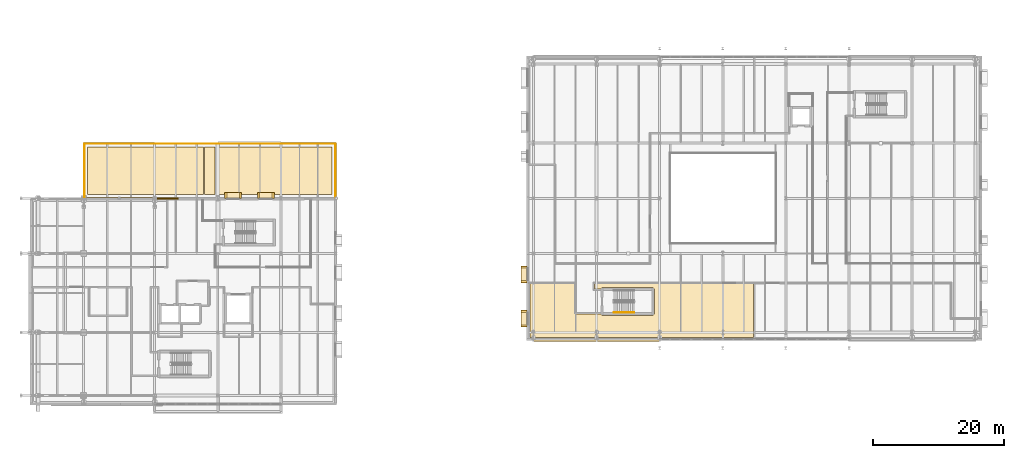
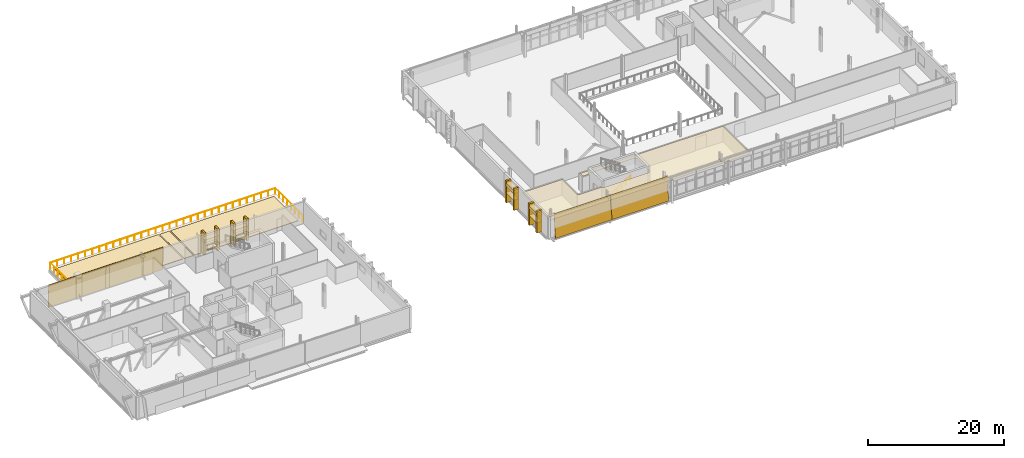
# One storey, part 51 of 57: 24 coverings, 4 railings.
"""IFC4 building model written with IfcOpenShell, lengths in metres."""

from ifc_helpers import new_model, si_unit, direction, frame, origin, origin_2d, place, context, subcontext, project, spatial, polyline, rectangle, circle, outline, extrude, material, layer, layer_set, type_object, element, save


model = new_model("IFC4")

# Units and contexts
model_context = context("Model", 3, precision=1e-05, world=origin(), true_north=direction((0.0, 1.0)))
body_context = subcontext(model_context, "Body", "Model", "MODEL_VIEW")
ifc_project = project(units=[si_unit("LENGTHUNIT", "METRE"), si_unit("AREAUNIT", "SQUARE_METRE"), si_unit("VOLUMEUNIT", "CUBIC_METRE"), si_unit("PLANEANGLEUNIT", "RADIAN"), si_unit("MASSUNIT", "GRAM", prefix="KILO")], contexts=[model_context])

# Site, building, storey
site_placement = place(None, origin())
site = spatial("IfcSite", under=ifc_project, at=site_placement, CompositionType="ELEMENT")
building_placement = place(site_placement, origin())
building = spatial("IfcBuilding", under=site, at=building_placement, Name="Zereglee Splitstone Museum", CompositionType="ELEMENT")
storey_placement = place(building_placement, frame((0.0, 0.0, 17.10009765625)))
storey = spatial("IfcBuildingStorey", under=building, at=storey_placement, Name="L03", CompositionType="ELEMENT", Elevation=17.10009765625)

# Coverings
ifc_material_1 = material(Name="Siberian larch acoustic timber ceiling", Category="wood")
ifc_layer_1 = layer(ifc_material_1, 0.06005859375)
ifc_layer_set_1 = layer_set([ifc_layer_1], Name="Siberian larch acoustic timber ceiling")
covering_type_1 = type_object("IfcCoveringType", Name="CLG-01", PredefinedType="CEILING", material=ifc_layer_set_1)
covering_1_placement = place(storey_placement, frame((0.0, 0.0, 2.760009765625)))
element("IfcCovering", 1, at=covering_1_placement, inside=storey, type_object=covering_type_1, Name="Acoustic Ceiling L03-047", PredefinedType="CEILING", context=body_context, shape_type="SweptSolid", body=[
    extrude(outline(polyline([(87.280029296875, 17.02001953125), (111.5, 17.02001953125), (111.5, 8.860107421875), (77.4599609375, 8.860107421875), (77.4599609375, 17.02001953125), (84.219970703125, 17.02001953125), (84.219970703125, 12.60009765625), (84.219970703125, 12.59912109375), (84.220703125, 12.583251953125), (84.220947265625, 12.581298828125), (84.223388671875, 12.56591796875), (84.2236328125, 12.56396484375), (84.2275390625, 12.548583984375), (84.22802734375, 12.546875), (84.2333984375, 12.531982421875), (84.234130859375, 12.5302734375), (84.24072265625, 12.51611328125), (84.24169921875, 12.514404296875), (84.249755859375, 12.500732421875), (84.2509765625, 12.499267578125), (84.26025390625, 12.486572265625), (84.261474609375, 12.485107421875), (84.27197265625, 12.473388671875), (84.2734375, 12.471923828125), (84.28515625, 12.46142578125), (84.28662109375, 12.460205078125), (84.29931640625, 12.450927734375), (84.30078125, 12.44970703125), (84.314208984375, 12.441650390625), (84.31591796875, 12.44091796875), (84.330078125, 12.43408203125), (84.33203125, 12.433349609375), (84.3466796875, 12.427978515625), (84.3486328125, 12.427490234375), (84.364013671875, 12.423583984375), (84.365966796875, 12.42333984375), (84.38134765625, 12.4208984375), (84.38330078125, 12.4208984375), (84.39892578125, 12.419921875), (84.39990234375, 12.419921875), (88.22119140625, 12.419921875), (88.2294921875, 12.402099609375), (88.250732421875, 12.36669921875), (88.275390625, 12.33349609375), (88.302978515625, 12.302978515625), (88.33349609375, 12.275390625), (88.36669921875, 12.250732421875), (88.402099609375, 12.2294921875), (88.439208984375, 12.2119140625), (88.47802734375, 12.197998046875), (88.51806640625, 12.18798828125), (88.558837890625, 12.181884765625), (88.60009765625, 12.179931640625), (96.0, 12.179931640625), (96.041259765625, 12.181884765625), (96.081787109375, 12.18798828125), (96.121826171875, 12.197998046875), (96.16064453125, 12.2119140625), (96.197998046875, 12.2294921875), (96.2333984375, 12.250732421875), (96.266357421875, 12.275390625), (96.297119140625, 12.302978515625), (96.32470703125, 12.33349609375), (96.34912109375, 12.36669921875), (96.370361328125, 12.402099609375), (96.387939453125, 12.439208984375), (96.40185546875, 12.47802734375), (96.411865234375, 12.51806640625), (96.41796875, 12.558837890625), (96.419921875, 12.60009765625), (96.419921875, 16.0), (96.41796875, 16.041259765625), (96.411865234375, 16.081787109375), (96.40185546875, 16.121826171875), (96.387939453125, 16.16064453125), (96.370361328125, 16.197998046875), (96.34912109375, 16.2333984375), (96.32470703125, 16.266357421875), (96.297119140625, 16.297119140625), (96.266357421875, 16.32470703125), (96.2333984375, 16.34912109375), (96.197998046875, 16.370361328125), (96.16064453125, 16.387939453125), (96.121826171875, 16.40185546875), (96.081787109375, 16.411865234375), (96.041259765625, 16.41796875), (96.0, 16.419921875), (88.60009765625, 16.419921875), (88.558837890625, 16.41796875), (88.51806640625, 16.411865234375), (88.47802734375, 16.40185546875), (88.439208984375, 16.387939453125), (88.402099609375, 16.370361328125), (88.36669921875, 16.34912109375), (88.33349609375, 16.32470703125), (88.302978515625, 16.297119140625), (88.275390625, 16.266357421875), (88.250732421875, 16.2333984375), (88.2294921875, 16.197998046875), (88.22119140625, 16.179931640625), (87.280029296875, 16.179931640625), (87.280029296875, 17.02001953125)]), holes=[polyline([(78.1171875, 9.42431640625), (78.1494140625, 9.45068359375), (78.175537109375, 9.482666015625), (78.195068359375, 9.519287109375), (78.20703125, 9.558837890625), (78.211181640625, 9.60009765625), (78.20703125, 9.64111328125), (78.195068359375, 9.680908203125), (78.175537109375, 9.71728515625), (78.1494140625, 9.749267578125), (78.1171875, 9.775634765625), (78.080810546875, 9.795166015625), (78.041259765625, 9.80712890625), (78.0, 9.811279296875), (77.958740234375, 9.80712890625), (77.919189453125, 9.795166015625), (77.8828125, 9.775634765625), (77.8505859375, 9.749267578125), (77.824462890625, 9.71728515625), (77.804931640625, 9.680908203125), (77.79296875, 9.64111328125), (77.788818359375, 9.60009765625), (77.79296875, 9.558837890625), (77.804931640625, 9.519287109375), (77.824462890625, 9.482666015625), (77.8505859375, 9.45068359375), (77.8828125, 9.42431640625), (77.919189453125, 9.40478515625), (77.958740234375, 9.392822265625), (78.0, 9.388916015625), (78.041259765625, 9.392822265625), (78.080810546875, 9.40478515625), (78.1171875, 9.42431640625)]), polyline([(87.44189453125, 9.907958984375), (87.44189453125, 9.862060546875), (87.584228515625, 9.862060546875), (87.584228515625, 9.337890625), (87.44189453125, 9.337890625), (87.44189453125, 9.2919921875), (87.758056640625, 9.2919921875), (87.758056640625, 9.337890625), (87.61572265625, 9.337890625), (87.61572265625, 9.862060546875), (87.758056640625, 9.862060546875), (87.758056640625, 9.907958984375), (87.44189453125, 9.907958984375)]), polyline([(97.35791015625, 9.7880859375), (97.0419921875, 9.7880859375), (97.0419921875, 9.74951171875), (97.185791015625, 9.74951171875), (97.185791015625, 9.450439453125), (97.0419921875, 9.450439453125), (97.0419921875, 9.412109375), (97.35791015625, 9.412109375), (97.35791015625, 9.450439453125), (97.21435546875, 9.450439453125), (97.21435546875, 9.74951171875), (97.35791015625, 9.74951171875), (97.35791015625, 9.7880859375)]), polyline([(106.64208984375, 9.9580078125), (106.64208984375, 9.909912109375), (106.783447265625, 9.909912109375), (106.783447265625, 9.2900390625), (106.64208984375, 9.2900390625), (106.64208984375, 9.241943359375), (106.9580078125, 9.241943359375), (106.9580078125, 9.2900390625), (106.81640625, 9.2900390625), (106.81640625, 9.909912109375), (106.9580078125, 9.909912109375), (106.9580078125, 9.9580078125), (106.64208984375, 9.9580078125)])]), origin(), (0.0, 0.0, 1.0), 0.059814453125),
])
ifc_material_2 = material(Name="Honed Gobi pale limestone stringcourse and soffit cladding", Category="masonry")
ifc_layer_2 = layer(ifc_material_2, 0.070068359375)
ifc_layer_set_2 = layer_set([ifc_layer_2], Name="Honed Gobi pale limestone stringcourse and soffit cladding")
covering_type_2 = type_object("IfcCoveringType", Name="CL-02", PredefinedType="CLADDING", material=ifc_layer_set_2)
for number, where, z_axis, x_axis, name in (
    (2, (38.409912109375, 30.425048828125, 0.0), (0.0, 0.0, 1.0), (-1.0, 0.0, 0.0), "Mughal Window Reveal Stone Pilaster L03-0123L"),
    (3, (36.169921875, 30.425048828125, 0.0), (0.0, 0.0, 1.0), (-1.0, 0.0, 0.0), "Mughal Window Reveal Stone Pilaster L03-0123R"),
):
    element("IfcCovering", number, at=place(storey_placement, frame(where, z_axis=z_axis, x_axis=x_axis)), inside=storey, type_object=covering_type_2, Name=name, PredefinedType="CLADDING", context=body_context, shape_type="SweptSolid", body=[
        extrude(rectangle(XDim=0.340087890625, YDim=0.860107421875, at=origin_2d()), origin(), (0.0, 0.0, 1.0), 3.89990234375),
    ])
covering_2_placement = place(storey_placement, frame((37.2900390625, 30.43505859375, 0.759765625), z_axis=(0.0, 0.0, 1.0), x_axis=(-1.0, 0.0, 0.0)))
element("IfcCovering", 4, at=covering_2_placement, inside=storey, type_object=covering_type_2, Name="Carved Limestone Window Sill L03-0123", PredefinedType="CLADDING", context=body_context, shape_type="SweptSolid", body=[
    extrude(rectangle(XDim=2.43994140625, YDim=0.840087890625, at=origin_2d()), origin(), (0.0, 0.0, 1.0), 0.1201171875),
])
for number, where, z_axis, x_axis, name in (
    (5, (33.429931640625, 30.425048828125, 0.0), (0.0, 0.0, 1.0), (-1.0, 0.0, 0.0), "Mughal Window Reveal Stone Pilaster L03-0124L"),
    (6, (31.18994140625, 30.425048828125, 0.0), (0.0, 0.0, 1.0), (-1.0, 0.0, 0.0), "Mughal Window Reveal Stone Pilaster L03-0124R"),
):
    element("IfcCovering", number, at=place(storey_placement, frame(where, z_axis=z_axis, x_axis=x_axis)), inside=storey, type_object=covering_type_2, Name=name, PredefinedType="CLADDING", context=body_context, shape_type="SweptSolid", body=[
        extrude(rectangle(XDim=0.340087890625, YDim=0.860107421875, at=origin_2d()), origin(), (0.0, 0.0, 1.0), 3.89990234375),
    ])
covering_3_placement = place(storey_placement, frame((32.31005859375, 30.43505859375, 0.759765625), z_axis=(0.0, 0.0, 1.0), x_axis=(-1.0, 0.0, 0.0)))
element("IfcCovering", 7, at=covering_3_placement, inside=storey, type_object=covering_type_2, Name="Carved Limestone Window Sill L03-0124", PredefinedType="CLADDING", context=body_context, shape_type="SweptSolid", body=[
    extrude(rectangle(XDim=2.43994140625, YDim=0.840087890625, at=origin_2d()), origin(), (0.0, 0.0, 1.0), 0.1201171875),
])
for number, where, z_axis, x_axis, name in (
    (8, (76.574951171875, 19.5400390625, 0.0), (0.0, 0.0, 1.0), (0.0, -1.0, 0.0), "Mughal Window Reveal Stone Pilaster L03-0128L"),
    (9, (76.574951171875, 17.300048828125, 0.0), (0.0, 0.0, 1.0), (0.0, -1.0, 0.0), "Mughal Window Reveal Stone Pilaster L03-0128R"),
):
    element("IfcCovering", number, at=place(storey_placement, frame(where, z_axis=z_axis, x_axis=x_axis)), inside=storey, type_object=covering_type_2, Name=name, PredefinedType="CLADDING", context=body_context, shape_type="SweptSolid", body=[
        extrude(rectangle(XDim=0.340087890625, YDim=0.860107421875, at=origin_2d()), origin(), (0.0, 0.0, 1.0), 3.89990234375),
    ])
covering_4_placement = place(storey_placement, frame((76.56494140625, 18.419921875, 1.659912109375), z_axis=(0.0, 0.0, 1.0), x_axis=(0.0, -1.0, 0.0)))
element("IfcCovering", 10, at=covering_4_placement, inside=storey, type_object=covering_type_2, Name="Carved Limestone Window Sill L03-0128", PredefinedType="CLADDING", context=body_context, shape_type="SweptSolid", body=[
    extrude(rectangle(XDim=2.43994140625, YDim=0.840087890625, at=origin_2d()), origin(), (0.0, 0.0, 1.0), 0.1201171875),
])
for number, where, z_axis, x_axis, name in (
    (11, (76.574951171875, 12.820068359375, 0.0), (0.0, 0.0, 1.0), (0.0, -1.0, 0.0), "Mughal Window Reveal Stone Pilaster L03-0129L"),
    (12, (76.574951171875, 10.580078125, 0.0), (0.0, 0.0, 1.0), (0.0, -1.0, 0.0), "Mughal Window Reveal Stone Pilaster L03-0129R"),
):
    element("IfcCovering", number, at=place(storey_placement, frame(where, z_axis=z_axis, x_axis=x_axis)), inside=storey, type_object=covering_type_2, Name=name, PredefinedType="CLADDING", context=body_context, shape_type="SweptSolid", body=[
        extrude(rectangle(XDim=0.340087890625, YDim=0.860107421875, at=origin_2d()), origin(), (0.0, 0.0, 1.0), 3.89990234375),
    ])
covering_5_placement = place(storey_placement, frame((76.56494140625, 11.699951171875, 1.659912109375), z_axis=(0.0, 0.0, 1.0), x_axis=(0.0, -1.0, 0.0)))
element("IfcCovering", 13, at=covering_5_placement, inside=storey, type_object=covering_type_2, Name="Carved Limestone Window Sill L03-0129", PredefinedType="CLADDING", context=body_context, shape_type="SweptSolid", body=[
    extrude(rectangle(XDim=2.43994140625, YDim=0.840087890625, at=origin_2d()), origin(), (0.0, 0.0, 1.0), 0.1201171875),
])
ifc_material_3 = material(Name="Honed Khoroo red sandstone ventilated rainscreen", Category="masonry")
ifc_layer_3 = layer(ifc_material_3, 0.080078125)
ifc_layer_set_3 = layer_set([ifc_layer_3], Name="Honed Khoroo red sandstone ventilated rainscreen")
covering_type_3 = type_object("IfcCoveringType", Name="CL-01", PredefinedType="CLADDING", material=ifc_layer_set_3)
for number, where, z_axis, x_axis, name in (
    (14, (37.2900390625, 30.43505859375, 2.059814453125), (0.0, 0.0, 1.0), (-1.0, 0.0, 0.0), "Pointed-Arch Mughal Window Hood L03-0123"),
    (15, (32.31005859375, 30.43505859375, 2.059814453125), (0.0, 0.0, 1.0), (-1.0, 0.0, 0.0), "Pointed-Arch Mughal Window Hood L03-0124"),
    (16, (76.56494140625, 18.419921875, 2.9599609375), (0.0, 0.0, 1.0), (0.0, -1.0, 0.0), "Pointed-Arch Mughal Window Hood L03-0128"),
    (17, (76.56494140625, 11.699951171875, 2.9599609375), (0.0, 0.0, 1.0), (0.0, -1.0, 0.0), "Pointed-Arch Mughal Window Hood L03-0129"),
):
    element("IfcCovering", number, at=place(storey_placement, frame(where, z_axis=z_axis, x_axis=x_axis)), inside=storey, type_object=covering_type_3, Name=name, PredefinedType="CLADDING", context=body_context, shape_type="SweptSolid", body=[
        extrude(rectangle(XDim=2.43994140625, YDim=0.860107421875, at=origin_2d()), origin(), (0.0, 0.0, 1.0), 0.580078125),
    ])
for number, where, z_axis, x_axis, name in (
    (18, (4.60009765625, 29.943115234375, 3.949951171875), (0.0, 0.999311479484, 0.037102115456), (1.0, 0.0, 0.0), "Split-Rock Continuous Inclined Facet FH-V1N-W L03.1"),
    (19, (14.300048828125, 29.943115234375, 3.949951171875), (0.0, 0.999311479484, 0.037102115456), (1.0, 0.0, 0.0), "Split-Rock Continuous Inclined Facet FH-V1N-W L03.2"),
):
    element("IfcCovering", number, at=place(storey_placement, frame(where, z_axis=z_axis, x_axis=x_axis)), inside=storey, type_object=covering_type_3, Name=name, PredefinedType="CLADDING", context=body_context, shape_type="SweptSolid", body=[
        extrude(outline(polyline([(0.0, 0.0), (9.699951171875, 0.0), (9.699951171875, 4.092905940334635), (0.0, 4.092905940334635), (0.0, 0.0)])), origin(), (0.0, 0.0, -1.0), 0.080078125),
    ])
covering_6_placement = place(storey_placement, frame((78.0, 8.193603515625, -0.25), z_axis=(0.0, -0.995861353668, 0.090885445868), x_axis=(1.0, 0.0, 0.0)))
element("IfcCovering", 20, at=covering_6_placement, inside=storey, type_object=covering_type_3, Name="Split-Rock Continuous Inclined Facet FH-V2SW L03.1", PredefinedType="CLADDING", context=body_context, shape_type="SweptSolid", body=[
    extrude(outline(polyline([(0.0, 0.0), (9.60009765625, 0.0), (9.60009765625, 4.2174055217682165), (0.0, 4.2174055217682165), (0.0, 0.0)])), origin(), (0.0, 0.0, -1.0), 0.080078125),
])
covering_7_placement = place(storey_placement, frame((87.60009765625, 8.193603515625, -0.25), z_axis=(0.0, -0.995861353668, 0.090885445868), x_axis=(1.0, 0.0, 0.0)))
element("IfcCovering", 21, at=covering_7_placement, inside=storey, type_object=covering_type_3, Name="Split-Rock Continuous Inclined Facet FH-V2SW L03.2", PredefinedType="CLADDING", context=body_context, shape_type="SweptSolid", body=[
    extrude(outline(polyline([(0.0, 0.0), (9.599853515625, 0.0), (9.599853515625, 4.217405521768217), (0.0, 4.217405521768217), (0.0, 0.0)])), origin(), (0.0, 0.0, -1.0), 0.080078125),
])

# Railings
ifc_material_4 = material(Name="Brushed stainless steel 1.4404 post-and-rail guard", Category="steel")
railing_type_1 = type_object("IfcRailingType", Name="GR-01", PredefinedType="GUARDRAIL", material=ifc_material_4)
railing_1_placement = place(storey_placement, frame((9.719970703125, 30.1201171875, 0.0)))
element("IfcRailing", 22, at=railing_1_placement, inside=storey, type_object=railing_type_1, Name="Outdoor Terrace Guard TER-L03-V1N-1", PredefinedType="GUARDRAIL", context=body_context, shape_type="SweptSolid", body=[
    extrude(circle(Radius=0.02392578125, at=origin_2d()), frame((0.0, 0.0, 1.076416015625), z_axis=(0.0, 1.0, 0.0), x_axis=(-1.0, 0.0, 0.0)), (0.0, 0.0, 1.0), 8.159912109375),
    extrude(circle(Radius=0.02099609375, at=origin_2d()), origin(), (0.0, 0.0, 1.0), 1.052001953125),
    extrude(circle(Radius=0.02099609375, at=origin_2d()), frame((0.0, 1.165771484375, 0.0)), (0.0, 0.0, 1.0), 1.052001953125),
    extrude(circle(Radius=0.02099609375, at=origin_2d()), frame((0.0, 2.331298828125, 0.0)), (0.0, 0.0, 1.0), 1.052001953125),
    extrude(circle(Radius=0.02099609375, at=origin_2d()), frame((0.0, 3.4970703125, 0.0)), (0.0, 0.0, 1.0), 1.052001953125),
    extrude(circle(Radius=0.02099609375, at=origin_2d()), frame((0.0, 4.662841796875, 0.0)), (0.0, 0.0, 1.0), 1.052001953125),
    extrude(circle(Radius=0.02099609375, at=origin_2d()), frame((0.0, 5.82861328125, 0.0)), (0.0, 0.0, 1.0), 1.052001953125),
    extrude(circle(Radius=0.02099609375, at=origin_2d()), frame((0.0, 6.994140625, 0.0)), (0.0, 0.0, 1.0), 1.052001953125),
    extrude(circle(Radius=0.02099609375, at=origin_2d()), frame((0.0, 8.159912109375, 0.0)), (0.0, 0.0, 1.0), 1.052001953125),
])
railing_2_placement = place(storey_placement, frame((9.719970703125, 38.280029296875, 0.0)))
element("IfcRailing", 23, at=railing_2_placement, inside=storey, type_object=railing_type_1, Name="Outdoor Terrace Guard TER-L03-V1N-2", PredefinedType="GUARDRAIL", context=body_context, shape_type="SweptSolid", body=[
    extrude(circle(Radius=0.02392578125, at=origin_2d()), frame((0.0, 0.0, 1.076416015625), z_axis=(1.0, 0.0, 0.0), x_axis=(0.0, 1.0, 0.0)), (0.0, 0.0, 1.0), 38.159912109375),
    extrude(circle(Radius=0.02099609375, at=origin_2d()), origin(), (0.0, 0.0, 1.0), 1.052001953125),
    extrude(circle(Radius=0.02099609375, at=origin_2d()), frame((1.1923828125, 0.0, 0.0)), (0.0, 0.0, 1.0), 1.052001953125),
    extrude(circle(Radius=0.02099609375, at=origin_2d()), frame((2.385009765625, 0.0, 0.0)), (0.0, 0.0, 1.0), 1.052001953125),
    extrude(circle(Radius=0.02099609375, at=origin_2d()), frame((3.577392578125, 0.0, 0.0)), (0.0, 0.0, 1.0), 1.052001953125),
    extrude(circle(Radius=0.02099609375, at=origin_2d()), frame((4.77001953125, 0.0, 0.0)), (0.0, 0.0, 1.0), 1.052001953125),
    extrude(circle(Radius=0.02099609375, at=origin_2d()), frame((5.96240234375, 0.0, 0.0)), (0.0, 0.0, 1.0), 1.052001953125),
    extrude(circle(Radius=0.02099609375, at=origin_2d()), frame((7.155029296875, 0.0, 0.0)), (0.0, 0.0, 1.0), 1.052001953125),
    extrude(circle(Radius=0.02099609375, at=origin_2d()), frame((8.347412109375, 0.0, 0.0)), (0.0, 0.0, 1.0), 1.052001953125),
    extrude(circle(Radius=0.02099609375, at=origin_2d()), frame((9.5400390625, 0.0, 0.0)), (0.0, 0.0, 1.0), 1.052001953125),
    extrude(circle(Radius=0.02099609375, at=origin_2d()), frame((10.732421875, 0.0, 0.0)), (0.0, 0.0, 1.0), 1.052001953125),
    extrude(circle(Radius=0.02099609375, at=origin_2d()), frame((11.925048828125, 0.0, 0.0)), (0.0, 0.0, 1.0), 1.052001953125),
    extrude(circle(Radius=0.02099609375, at=origin_2d()), frame((13.117431640625, 0.0, 0.0)), (0.0, 0.0, 1.0), 1.052001953125),
    extrude(circle(Radius=0.02099609375, at=origin_2d()), frame((14.31005859375, 0.0, 0.0)), (0.0, 0.0, 1.0), 1.052001953125),
    extrude(circle(Radius=0.02099609375, at=origin_2d()), frame((15.50244140625, 0.0, 0.0)), (0.0, 0.0, 1.0), 1.052001953125),
    extrude(circle(Radius=0.02099609375, at=origin_2d()), frame((16.695068359375, 0.0, 0.0)), (0.0, 0.0, 1.0), 1.052001953125),
    extrude(circle(Radius=0.02099609375, at=origin_2d()), frame((17.887451171875, 0.0, 0.0)), (0.0, 0.0, 1.0), 1.052001953125),
    extrude(circle(Radius=0.02099609375, at=origin_2d()), frame((19.080078125, 0.0, 0.0)), (0.0, 0.0, 1.0), 1.052001953125),
    extrude(circle(Radius=0.02099609375, at=origin_2d()), frame((20.2724609375, 0.0, 0.0)), (0.0, 0.0, 1.0), 1.052001953125),
    extrude(circle(Radius=0.02099609375, at=origin_2d()), frame((21.46484375, 0.0, 0.0)), (0.0, 0.0, 1.0), 1.052001953125),
    extrude(circle(Radius=0.02099609375, at=origin_2d()), frame((22.657470703125, 0.0, 0.0)), (0.0, 0.0, 1.0), 1.052001953125),
    extrude(circle(Radius=0.02099609375, at=origin_2d()), frame((23.849853515625, 0.0, 0.0)), (0.0, 0.0, 1.0), 1.052001953125),
    extrude(circle(Radius=0.02099609375, at=origin_2d()), frame((25.04248046875, 0.0, 0.0)), (0.0, 0.0, 1.0), 1.052001953125),
    extrude(circle(Radius=0.02099609375, at=origin_2d()), frame((26.23486328125, 0.0, 0.0)), (0.0, 0.0, 1.0), 1.052001953125),
    extrude(circle(Radius=0.02099609375, at=origin_2d()), frame((27.427490234375, 0.0, 0.0)), (0.0, 0.0, 1.0), 1.052001953125),
    extrude(circle(Radius=0.02099609375, at=origin_2d()), frame((28.619873046875, 0.0, 0.0)), (0.0, 0.0, 1.0), 1.052001953125),
    extrude(circle(Radius=0.02099609375, at=origin_2d()), frame((29.8125, 0.0, 0.0)), (0.0, 0.0, 1.0), 1.052001953125),
    extrude(circle(Radius=0.02099609375, at=origin_2d()), frame((31.0048828125, 0.0, 0.0)), (0.0, 0.0, 1.0), 1.052001953125),
    extrude(circle(Radius=0.02099609375, at=origin_2d()), frame((32.197509765625, 0.0, 0.0)), (0.0, 0.0, 1.0), 1.052001953125),
    extrude(circle(Radius=0.02099609375, at=origin_2d()), frame((33.389892578125, 0.0, 0.0)), (0.0, 0.0, 1.0), 1.052001953125),
    extrude(circle(Radius=0.02099609375, at=origin_2d()), frame((34.58251953125, 0.0, 0.0)), (0.0, 0.0, 1.0), 1.052001953125),
    extrude(circle(Radius=0.02099609375, at=origin_2d()), frame((35.77490234375, 0.0, 0.0)), (0.0, 0.0, 1.0), 1.052001953125),
    extrude(circle(Radius=0.02099609375, at=origin_2d()), frame((36.967529296875, 0.0, 0.0)), (0.0, 0.0, 1.0), 1.052001953125),
    extrude(circle(Radius=0.02099609375, at=origin_2d()), frame((38.159912109375, 0.0, 0.0)), (0.0, 0.0, 1.0), 1.052001953125),
])
railing_3_placement = place(storey_placement, frame((47.8798828125, 38.280029296875, 0.0)))
element("IfcRailing", 24, at=railing_3_placement, inside=storey, type_object=railing_type_1, Name="Outdoor Terrace Guard TER-L03-V1N-3", PredefinedType="GUARDRAIL", context=body_context, shape_type="SweptSolid", body=[
    extrude(circle(Radius=0.02392578125, at=origin_2d()), frame((0.0, 0.0, 1.076416015625), z_axis=(0.0, -1.0, 0.0), x_axis=(1.0, 0.0, 0.0)), (0.0, 0.0, 1.0), 8.159912109375),
    extrude(circle(Radius=0.02099609375, at=origin_2d()), origin(), (0.0, 0.0, 1.0), 1.052001953125),
    extrude(circle(Radius=0.02099609375, at=origin_2d()), frame((0.0, -1.165771484375, 0.0)), (0.0, 0.0, 1.0), 1.052001953125),
    extrude(circle(Radius=0.02099609375, at=origin_2d()), frame((0.0, -2.331298828125, 0.0)), (0.0, 0.0, 1.0), 1.052001953125),
    extrude(circle(Radius=0.02099609375, at=origin_2d()), frame((0.0, -3.4970703125, 0.0)), (0.0, 0.0, 1.0), 1.052001953125),
    extrude(circle(Radius=0.02099609375, at=origin_2d()), frame((0.0, -4.662841796875, 0.0)), (0.0, 0.0, 1.0), 1.052001953125),
    extrude(circle(Radius=0.02099609375, at=origin_2d()), frame((0.0, -5.82861328125, 0.0)), (0.0, 0.0, 1.0), 1.052001953125),
    extrude(circle(Radius=0.02099609375, at=origin_2d()), frame((0.0, -6.994140625, 0.0)), (0.0, 0.0, 1.0), 1.052001953125),
    extrude(circle(Radius=0.02099609375, at=origin_2d()), frame((0.0, -8.159912109375, 0.0)), (0.0, 0.0, 1.0), 1.052001953125),
])
ifc_material_5 = material(Name="Architectural bronze tubular handrail", Category="steel")
railing_type_2 = type_object("IfcRailingType", Name="HR-01", PredefinedType="HANDRAIL", material=ifc_material_5)
railing_4_placement = place(storey_placement, frame((90.25, 12.64990234375, 0.1748046875)))
element("IfcRailing", 25, at=railing_4_placement, inside=storey, type_object=railing_type_2, Name="L03 ST-06 stair handrail 1", PredefinedType="HANDRAIL", context=body_context, shape_type="SweptSolid", body=[
    extrude(circle(Radius=0.02392578125, at=origin_2d()), frame((0.0, 0.0, 0.8759765625), z_axis=(0.847998304005, 0.0, 0.529998940003), x_axis=(0.0, 1.0, 0.0)), (0.0, 0.0, 1.0), 3.632080078125),
    extrude(circle(Radius=0.02099609375, at=origin_2d()), origin(), (0.0, 0.0, 1.0), 0.851806640625),
    extrude(circle(Radius=0.02099609375, at=origin_2d()), frame((0.77001953125, 0.0, 0.481201171875)), (0.0, 0.0, 1.0), 0.851806640625),
    extrude(circle(Radius=0.02099609375, at=origin_2d()), frame((1.5400390625, 0.0, 0.96240234375)), (0.0, 0.0, 1.0), 0.851806640625),
    extrude(circle(Radius=0.02099609375, at=origin_2d()), frame((2.31005859375, 0.0, 1.44384765625)), (0.0, 0.0, 1.0), 0.851806640625),
    extrude(circle(Radius=0.02099609375, at=origin_2d()), frame((3.080078125, 0.0, 1.925048828125)), (0.0, 0.0, 1.0), 0.851806640625),
])

# Coverings
ifc_material_6 = material(Name="Carved pale Gobi limestone charbagh channel trim", Category="masonry")
ifc_layer_4 = layer(ifc_material_6, 0.080078125)
ifc_layer_set_4 = layer_set([ifc_layer_4], Name="Carved pale Gobi limestone charbagh channel trim")
covering_type_4 = type_object("IfcCoveringType", Name="CHB-01", PredefinedType="FLOORING", material=ifc_layer_set_4)
covering_8_placement = place(storey_placement, origin())
element("IfcCovering", 26, at=covering_8_placement, inside=storey, type_object=covering_type_4, Name="Charbagh Stone Terrace Parterre CHB-TER-V1N", PredefinedType="FLOORING", context=body_context, shape_type="SweptSolid", body=[
    extrude(outline(polyline([(28.0, 30.60009765625), (29.60009765625, 30.60009765625), (29.60009765625, 37.800048828125), (28.0, 37.800048828125), (28.0, 30.60009765625)])), origin(), (0.0, 0.0, 1.0), 0.079833984375),
])
ifc_material_7 = material(Name="Flamed Gobi grey granite terrace paving", Category="masonry")
ifc_layer_5 = layer(ifc_material_7, 0.10009765625)
ifc_layer_set_5 = layer_set([ifc_layer_5], Name="Flamed Gobi grey granite terrace paving")
covering_type_5 = type_object("IfcCoveringType", Name="PAV-01", PredefinedType="FLOORING", material=ifc_layer_set_5)
covering_9_placement = place(storey_placement, origin())
element("IfcCovering", 27, at=covering_9_placement, inside=storey, type_object=covering_type_5, Name="Charbagh Stone Terrace Parterre PAV-TER-V1N-W", PredefinedType="FLOORING", context=body_context, shape_type="SweptSolid", body=[
    extrude(outline(polyline([(10.199951171875, 30.60009765625), (27.800048828125, 30.60009765625), (27.800048828125, 37.800048828125), (10.199951171875, 37.800048828125), (10.199951171875, 30.60009765625)])), origin(), (0.0, 0.0, 1.0), 0.099853515625),
])
ifc_material_8 = material(Name="Riven Khoroo red sandstone charbagh terrace paving", Category="masonry")
ifc_layer_6 = layer(ifc_material_8, 0.090087890625)
ifc_layer_set_6 = layer_set([ifc_layer_6], Name="Riven Khoroo red sandstone charbagh terrace paving")
covering_type_6 = type_object("IfcCoveringType", Name="PAV-02", PredefinedType="FLOORING", material=ifc_layer_set_6)
covering_10_placement = place(storey_placement, origin())
element("IfcCovering", 28, at=covering_10_placement, inside=storey, type_object=covering_type_6, Name="Charbagh Stone Terrace Parterre PAV-TER-V1N-E", PredefinedType="FLOORING", context=body_context, shape_type="SweptSolid", body=[
    extrude(outline(polyline([(29.800048828125, 30.60009765625), (47.39990234375, 30.60009765625), (47.39990234375, 37.800048828125), (29.800048828125, 37.800048828125), (29.800048828125, 30.60009765625)])), origin(), (0.0, 0.0, 1.0), 0.08984375),
])

save(model, "model.ifc")
